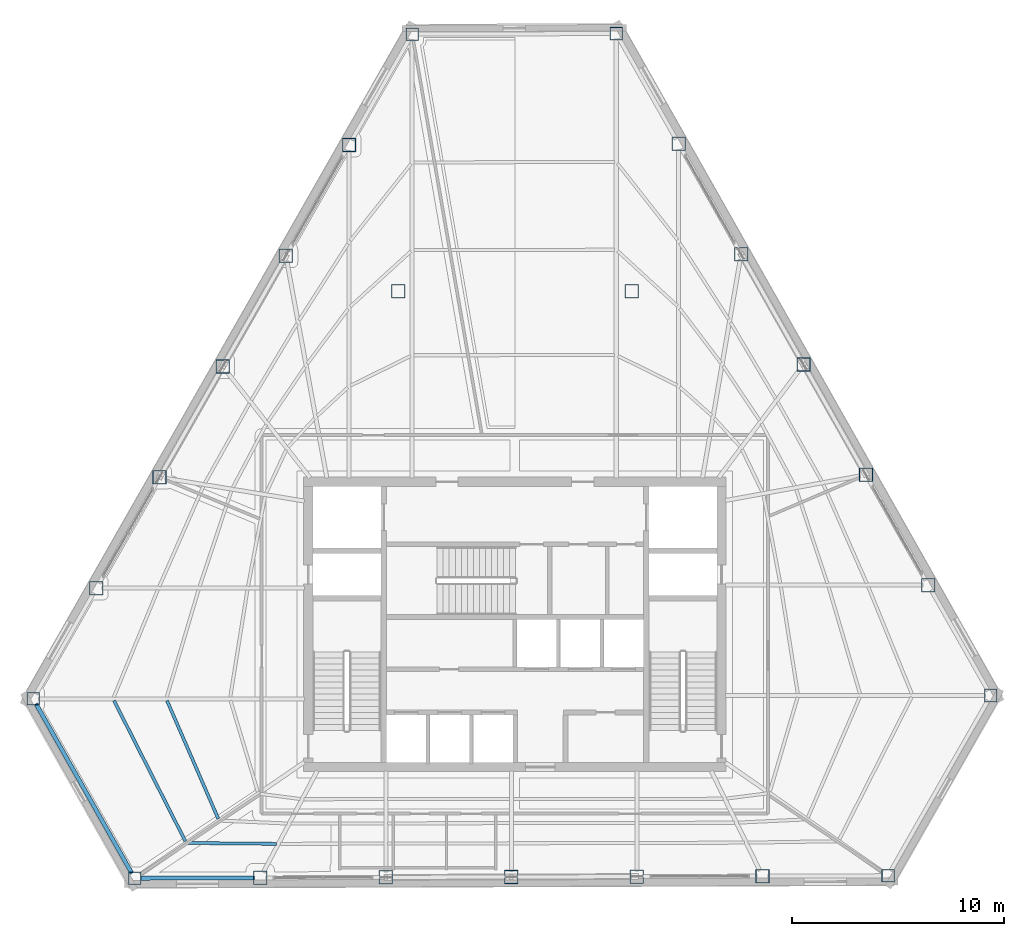
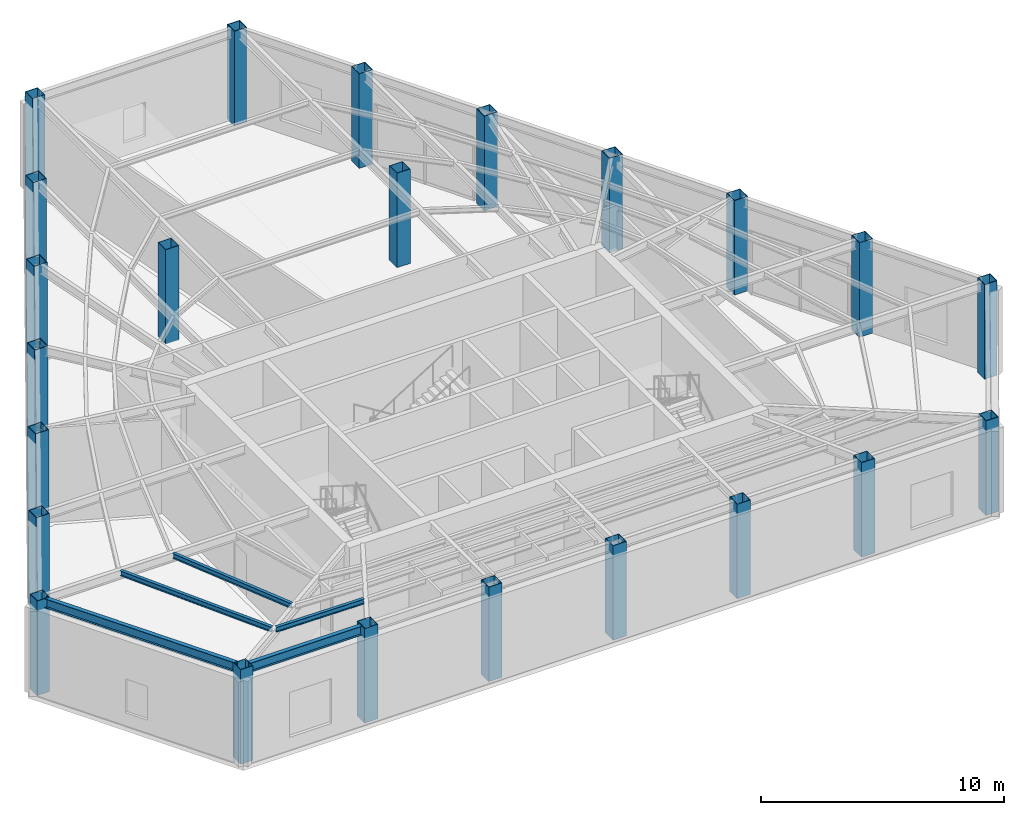
# One storey, part 1 of 14: 23 columns, 5 beams.
"""IFC4 building model written with IfcOpenShell, lengths in metres."""

from ifc_helpers import new_model, si_unit, direction, frame, origin, origin_2d, place, context, subcontext, project, spatial, hollow_rectangle, i_section, extrude, material, material_profile, profile_set, type_object, element, save


model = new_model("IFC4")

# Units and contexts
model_context = context("Model", 3, precision=1e-05, world=origin(), true_north=direction((0.0, 1.0)))
body_context = subcontext(model_context, "Body", "Model", "MODEL_VIEW")
ifc_project = project(units=[si_unit("LENGTHUNIT", "METRE"), si_unit("AREAUNIT", "SQUARE_METRE"), si_unit("VOLUMEUNIT", "CUBIC_METRE"), si_unit("PLANEANGLEUNIT", "RADIAN"), si_unit("MASSUNIT", "GRAM", prefix="KILO")], contexts=[model_context])

# Site, building, storey
site_placement = place(None, origin())
site = spatial("IfcSite", under=ifc_project, at=site_placement, CompositionType="ELEMENT")
building_placement = place(site_placement, origin())
building = spatial("IfcBuilding", under=site, at=building_placement, Name="Kavelnor Concourse Tower", CompositionType="ELEMENT")
storey_placement = place(building_placement, frame((0.0, 0.0, 160.0)))
storey = spatial("IfcBuildingStorey", under=building, at=storey_placement, Name="L40", CompositionType="ELEMENT", Elevation=160.0)

# Columns
ifc_material = material(Name="Steel Grade 350", Category="steel")
ifc_material_profile_1 = material_profile(ifc_material, hollow_rectangle(XDim=0.60009765625, YDim=0.60009765625, WallThickness=0.028076171875, at=origin_2d()), Name="SHS 600x600x28")
ifc_profile_set_1 = profile_set([ifc_material_profile_1], Name="Steel Grade 350")
column_type_1 = type_object("IfcColumnType", Name="COL-FOLD-Z3", PredefinedType="COLUMN", material=ifc_profile_set_1)
for number, where, z_axis, x_axis, name in (
    (1, (33.16162109375, 43.91650390625, 0.0), (0.0, 0.0, 1.0), (1.0, 0.0, 0.0), "L40 Perimeter Corner-Fold Column F0-B0"),
    (2, (15.2958984375, 12.5908203125, 0.0), (0.0, 0.0, 1.0), (1.0, 0.0, 0.0), "L40 Perimeter Corner-Fold Column F0-B6"),
    (3, (20.08154296875, 4.133544921875, 0.0), (0.0, 0.0, 1.0), (1.0, 0.0, 0.0), "L40 Perimeter Corner-Fold Column F1-B0"),
    (4, (55.588623046875, 4.25341796875, 0.0), (0.0, 0.0, 1.0), (1.0, 0.0, 0.0), "L40 Perimeter Corner-Fold Column F1-B6"),
    (5, (60.433837890625, 12.748779296875, 0.0), (0.0, 0.0, 1.0), (1.0, 0.0, 0.0), "L40 Perimeter Corner-Fold Column F2-B0"),
    (6, (42.77880859375, 43.948974609375, 0.0), (0.0, 0.0, 1.0), (1.0, 0.0, 0.0), "L40 Perimeter Corner-Fold Column F2-B6"),
):
    element("IfcColumn", number, at=place(storey_placement, frame(where, z_axis=z_axis, x_axis=x_axis)), inside=storey, type_object=column_type_1, Name=name, PredefinedType="COLUMN", context=body_context, shape_type="SweptSolid", body=[
        extrude(hollow_rectangle(XDim=0.60009765625, YDim=0.60009765625, WallThickness=0.028076171875, at=origin_2d()), origin(), (0.0, 0.0, 1.0), 4.75),
    ])
ifc_material_profile_2 = material_profile(ifc_material, hollow_rectangle(XDim=0.639892578125, YDim=0.639892578125, WallThickness=0.028076171875, at=origin_2d()), Name="SHS 640x640x28")
ifc_profile_set_2 = profile_set([ifc_material_profile_2], Name="Steel Grade 350")
column_type_2 = type_object("IfcColumnType", Name="COL-TUBE-Z3", PredefinedType="COLUMN", material=ifc_profile_set_2)
for number, where, z_axis, x_axis, name in (
    (7, (30.18408203125, 38.695556640625, 0.0), (0.0, 0.0, 1.0), (1.0, 0.0, 0.0), "L40 Perimeter Framed-Tube Column F0-B1"),
    (8, (27.206298828125, 33.474609375, 0.0), (0.0, 0.0, 1.0), (1.0, 0.0, 0.0), "L40 Perimeter Framed-Tube Column F0-B2"),
    (9, (24.228759765625, 28.253662109375, 0.0), (0.0, 0.0, 1.0), (1.0, 0.0, 0.0), "L40 Perimeter Framed-Tube Column F0-B3"),
    (10, (21.251220703125, 23.03271484375, 0.0), (0.0, 0.0, 1.0), (1.0, 0.0, 0.0), "L40 Perimeter Framed-Tube Column F0-B4"),
    (11, (18.2734375, 17.811767578125, 0.0), (0.0, 0.0, 1.0), (1.0, 0.0, 0.0), "L40 Perimeter Framed-Tube Column F0-B5"),
    (12, (25.99951171875, 4.153564453125, 0.0), (0.0, 0.0, 1.0), (1.0, 0.0, 0.0), "L40 Perimeter Framed-Tube Column F1-B1"),
    (13, (31.917236328125, 4.173583984375, 0.0), (0.0, 0.0, 1.0), (1.0, 0.0, 0.0), "L40 Perimeter Framed-Tube Column F1-B2"),
    (14, (37.835205078125, 4.193603515625, 0.0), (0.0, 0.0, 1.0), (1.0, 0.0, 0.0), "L40 Perimeter Framed-Tube Column F1-B3"),
    (15, (43.7529296875, 4.21337890625, 0.0), (0.0, 0.0, 1.0), (1.0, 0.0, 0.0), "L40 Perimeter Framed-Tube Column F1-B4"),
    (16, (49.6708984375, 4.2333984375, 0.0), (0.0, 0.0, 1.0), (1.0, 0.0, 0.0), "L40 Perimeter Framed-Tube Column F1-B5"),
    (17, (57.4912109375, 17.94873046875, 0.0), (0.0, 0.0, 1.0), (1.0, 0.0, 0.0), "L40 Perimeter Framed-Tube Column F2-B1"),
    (18, (54.548828125, 23.148681640625, 0.0), (0.0, 0.0, 1.0), (1.0, 0.0, 0.0), "L40 Perimeter Framed-Tube Column F2-B2"),
    (19, (51.606201171875, 28.348876953125, 0.0), (0.0, 0.0, 1.0), (1.0, 0.0, 0.0), "L40 Perimeter Framed-Tube Column F2-B3"),
    (20, (48.663818359375, 33.548828125, 0.0), (0.0, 0.0, 1.0), (1.0, 0.0, 0.0), "L40 Perimeter Framed-Tube Column F2-B4"),
    (21, (45.72119140625, 38.7490234375, 0.0), (0.0, 0.0, 1.0), (1.0, 0.0, 0.0), "L40 Perimeter Framed-Tube Column F2-B5"),
    (22, (32.5, 31.800048828125, 0.0), (0.0, 0.0, 1.0), (1.0, 0.0, 0.0), "L40 North Interior Gravity Column BC-NW"),
    (23, (43.5, 31.800048828125, 0.0), (0.0, 0.0, 1.0), (1.0, 0.0, 0.0), "L40 North Interior Gravity Column BC-NE"),
):
    element("IfcColumn", number, at=place(storey_placement, frame(where, z_axis=z_axis, x_axis=x_axis)), inside=storey, type_object=column_type_2, Name=name, PredefinedType="COLUMN", context=body_context, shape_type="SweptSolid", body=[
        extrude(hollow_rectangle(XDim=0.639892578125, YDim=0.639892578125, WallThickness=0.028076171875, at=origin_2d()), origin(), (0.0, 0.0, 1.0), 4.75),
    ])

# Beams
ifc_material_profile_3 = material_profile(ifc_material, i_section(OverallWidth=0.14599609375, OverallDepth=0.256103515625, WebThickness=0.00634765625, FlangeThickness=0.010986328125, at=origin_2d()), Name="250UB37")
ifc_profile_set_3 = profile_set([ifc_material_profile_3], Name="Steel Grade 350")
beam_type_1 = type_object("IfcBeamType", Name="BM-JOIST-250", PredefinedType="JOIST", material=ifc_profile_set_3)
beam_1_placement = place(storey_placement, frame((21.602783203125, 12.50927734375, 4.6220703125), z_axis=(0.398038238821, -0.917368824648, 0.0), x_axis=(0.917368824648, 0.398038238821, 0.0)))
element("IfcBeam", 24, at=beam_1_placement, inside=storey, type_object=beam_type_1, Name="L40 Secondary Composite Joist 01-2", PredefinedType="JOIST", context=body_context, shape_type="SweptSolid", body=[
    extrude(i_section(OverallWidth=0.14599609375, OverallDepth=0.256103515625, WebThickness=0.00634765625, FlangeThickness=0.010986328125, at=origin_2d()), origin(), (0.0, 0.0, 1.0), 6.07470703125),
])
beam_2_placement = place(storey_placement, frame((19.102783203125, 12.511474609375, 4.6220703125), z_axis=(0.452691155766, -0.891667380524, 0.0), x_axis=(0.891667380524, 0.452691155766, 0.0)))
element("IfcBeam", 25, at=beam_2_placement, inside=storey, type_object=beam_type_1, Name="L40 Secondary Composite Joist 01-3", PredefinedType="JOIST", context=body_context, shape_type="SweptSolid", body=[
    extrude(i_section(OverallWidth=0.14599609375, OverallDepth=0.256103515625, WebThickness=0.00634765625, FlangeThickness=0.010986328125, at=origin_2d()), origin(), (0.0, 0.0, 1.0), 7.44091796875),
])
beam_3_placement = place(storey_placement, frame((22.600341796875, 5.79638671875, 4.6220703125), z_axis=(0.999954326642, -0.009557438445, 0.0), x_axis=(0.009557438445, 0.999954326642, 0.0)))
element("IfcBeam", 26, at=beam_3_placement, inside=storey, type_object=beam_type_1, Name="L40 Secondary Composite Joist 02-3", PredefinedType="JOIST", context=body_context, shape_type="SweptSolid", body=[
    extrude(i_section(OverallWidth=0.14599609375, OverallDepth=0.256103515625, WebThickness=0.00634765625, FlangeThickness=0.010986328125, at=origin_2d()), origin(), (0.0, 0.0, 1.0), 4.163818359375),
])
ifc_material_profile_4 = material_profile(ifc_material, i_section(OverallWidth=0.19091796875, OverallDepth=0.4599609375, WebThickness=0.010009765625, FlangeThickness=0.01611328125, at=origin_2d()), Name="460UB82")
ifc_profile_set_4 = profile_set([ifc_material_profile_4], Name="Steel Grade 350")
beam_type_2 = type_object("IfcBeamType", Name="BM-SPANDREL-Z3", PredefinedType="SPANDREL", material=ifc_profile_set_4)
beam_4_placement = place(storey_placement, frame((20.346435546875, 4.134521484375, 4.52001953125), z_axis=(0.999994378341, 0.003353100911, 0.0), x_axis=(-0.003353100911, 0.999994378341, 0.0)))
element("IfcBeam", 27, at=beam_4_placement, inside=storey, type_object=beam_type_2, Name="L40 Perimeter Tube Spandrel Beam F1-B0", PredefinedType="SPANDREL", context=body_context, shape_type="SweptSolid", body=[
    extrude(i_section(OverallWidth=0.19091796875, OverallDepth=0.4599609375, WebThickness=0.010009765625, FlangeThickness=0.01611328125, at=origin_2d()), origin(), (0.0, 0.0, 1.0), 5.387939453125),
])
beam_5_placement = place(storey_placement, frame((15.426513671875, 12.3603515625, 4.52001953125), z_axis=(0.492459994213, -0.870335081506, 0.0), x_axis=(0.870335081506, 0.492459994213, 0.0)))
element("IfcBeam", 28, at=beam_5_placement, inside=storey, type_object=beam_type_2, Name="L40 Chamfer Facet Spandrel Beam C1", PredefinedType="SPANDREL", context=body_context, shape_type="SweptSolid", body=[
    extrude(i_section(OverallWidth=0.19091796875, OverallDepth=0.4599609375, WebThickness=0.010009765625, FlangeThickness=0.01611328125, at=origin_2d()), origin(), (0.0, 0.0, 1.0), 9.187255859375),
])

save(model, "model.ifc")
